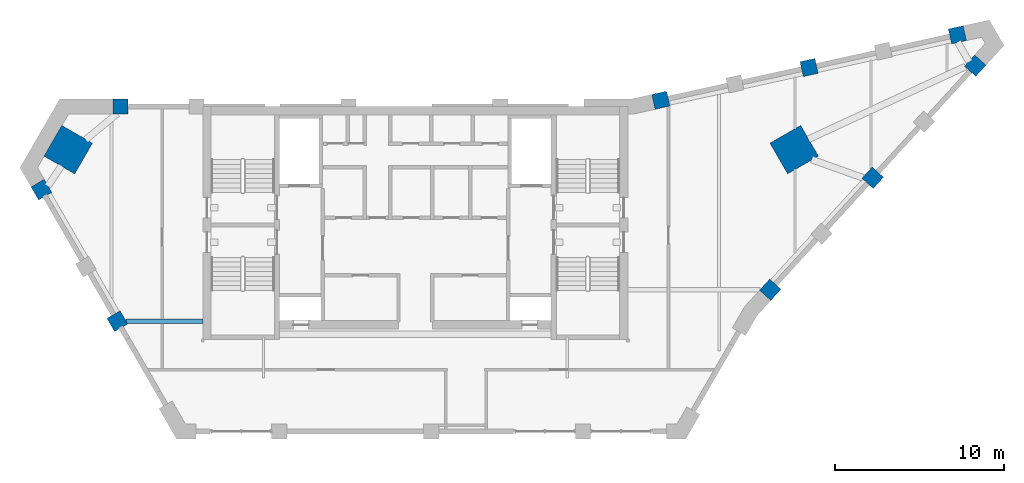
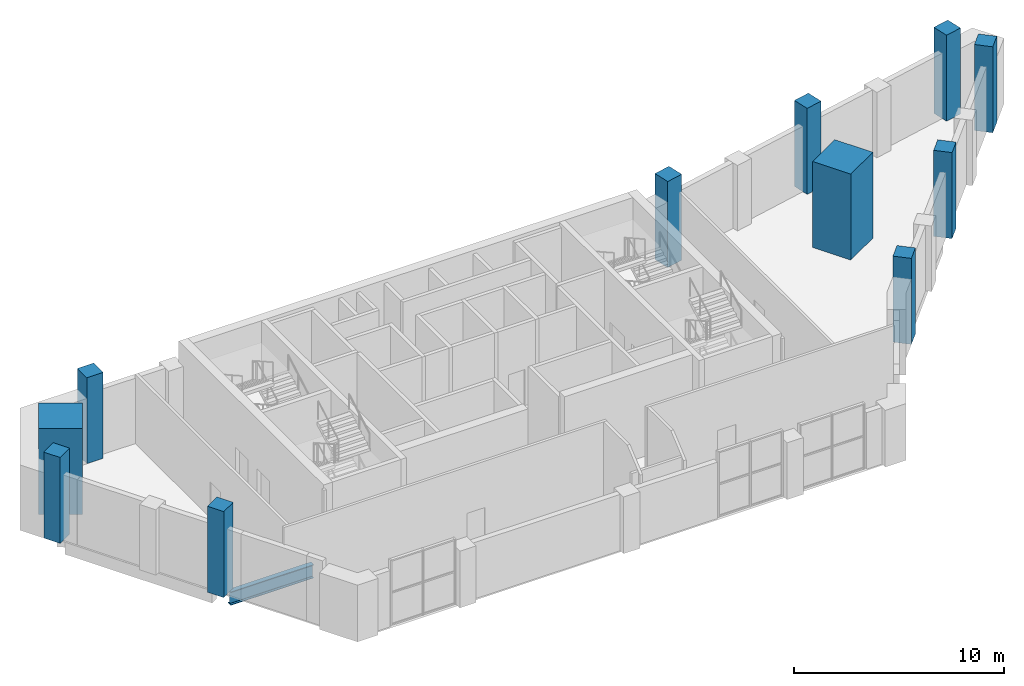
# One storey, part 1 of 9: 11 columns, 1 beam.
"""IFC4 building model written with IfcOpenShell, lengths in metres."""

from ifc_helpers import new_model, si_unit, direction, frame, origin, origin_2d, place, context, subcontext, project, spatial, rectangle, i_section, extrude, material, material_profile, profile_set, type_object, element, save


model = new_model("IFC4")

# Units and contexts
model_context = context("Model", 3, precision=1e-05, world=origin(), true_north=direction((0.0, 1.0)))
body_context = subcontext(model_context, "Body", "Model", "MODEL_VIEW")
ifc_project = project(units=[si_unit("LENGTHUNIT", "METRE"), si_unit("AREAUNIT", "SQUARE_METRE"), si_unit("VOLUMEUNIT", "CUBIC_METRE"), si_unit("PLANEANGLEUNIT", "RADIAN"), si_unit("MASSUNIT", "GRAM", prefix="KILO")], contexts=[model_context])

# Site, building, storey
site_placement = place(None, origin())
site = spatial("IfcSite", under=ifc_project, at=site_placement, CompositionType="ELEMENT")
building_placement = place(site_placement, origin())
building = spatial("IfcBuilding", under=site, at=building_placement, Name="Calabash Gate Tower", CompositionType="ELEMENT")
storey_placement = place(building_placement, frame((0.0, 0.0, 330.5)))
storey = spatial("IfcBuildingStorey", under=building, at=storey_placement, Name="L77", CompositionType="ELEMENT", Elevation=330.5)

# Columns
ifc_material_1 = material(Name="Concrete C60/75", Category="concrete")
ifc_material_profile_1 = material_profile(ifc_material_1, rectangle(XDim=2.10009765625, YDim=2.10009765625, at=origin_2d()))
ifc_profile_set_1 = profile_set([ifc_material_profile_1], Name="Concrete C60/75")
column_type_1 = type_object("IfcColumnType", Name="Mega column RC 2100x2100 Concrete C60/75", PredefinedType="COLUMN", material=ifc_profile_set_1)
for number, where, z_axis, x_axis, name in (
    (1, (-20.572998046875, 16.491943359375, 0.0), (0.0, 0.0, 1.0), (0.866025395058, -0.500000015115, 0.0), "Mega column L77 NW"),
    (2, (22.447021484375, 16.491943359375, 0.0), (0.0, 0.0, 1.0), (-0.866025395058, -0.500000015115, 0.0), "Mega column L77 NE"),
):
    element("IfcColumn", number, at=place(storey_placement, frame(where, z_axis=z_axis, x_axis=x_axis)), inside=storey, type_object=column_type_1, Name=name, PredefinedType="COLUMN", context=body_context, shape_type="SweptSolid", body=[
        extrude(rectangle(XDim=2.10009765625, YDim=2.10009765625, at=origin_2d()), origin(), (0.0, 0.0, 1.0), 5.0),
    ])
ifc_material_2 = material(Name="Concrete C50/60", Category="concrete")
ifc_material_profile_2 = material_profile(ifc_material_2, rectangle(XDim=0.89990234375, YDim=0.89990234375, at=origin_2d()))
ifc_profile_set_2 = profile_set([ifc_material_profile_2], Name="Concrete C50/60")
column_type_2 = type_object("IfcColumnType", Name="Perimeter column RC 900x900 Concrete C50/60", PredefinedType="COLUMN", material=ifc_profile_set_2)
for number, where, z_axis, x_axis, name in (
    (3, (-22.162109375, 14.1201171875, 0.0), (0.0, 0.0, 1.0), (0.500000015115, -0.866025395058, 0.0), "Perimeter column L77 P20"),
    (4, (-17.662109375, 6.325927734375, 0.0), (0.0, 0.0, 1.0), (0.500000015115, -0.866025395058, 0.0), "Perimeter column L77 P00"),
    (5, (21.031005859375, 8.18701171875, 0.0), (0.0, 0.0, 1.0), (0.67485604152, 0.737949404244, 0.0), "Perimeter column L77 P12"),
    (6, (27.10400390625, 14.825927734375, 0.0), (0.0, 0.0, 1.0), (0.67485604152, 0.737949404244, 0.0), "Perimeter column L77 P36"),
    (7, (33.177978515625, 21.468017578125, 0.0), (0.0, 0.0, 1.0), (0.67485604152, 0.737949404244, 0.0), "Perimeter column L77 P37"),
    (8, (32.12109375, 23.298095703125, 0.0), (0.0, 0.0, 1.0), (-0.976510951543, -0.215467773731, 0.0), "Perimeter column L77 P38"),
    (9, (23.3330078125, 21.35888671875, 0.0), (0.0, 0.0, 1.0), (-0.976510951543, -0.215467773731, 0.0), "Perimeter column L77 P39"),
    (10, (14.5439453125, 19.4189453125, 0.0), (0.0, 0.0, 1.0), (-0.976510951543, -0.215467773731, 0.0), "Perimeter column L77 P40"),
    (11, (-17.466064453125, 19.052978515625, 0.0), (0.0, 0.0, 1.0), (-1.0, 0.0, 0.0), "Perimeter column L77 P31"),
):
    element("IfcColumn", number, at=place(storey_placement, frame(where, z_axis=z_axis, x_axis=x_axis)), inside=storey, type_object=column_type_2, Name=name, PredefinedType="COLUMN", context=body_context, shape_type="SweptSolid", body=[
        extrude(rectangle(XDim=0.89990234375, YDim=0.89990234375, at=origin_2d()), origin(), (0.0, 0.0, 1.0), 5.0),
    ])

# Beam
ifc_material_3 = material(Name="Steel ASTM A992 Gr50", Category="steel")
ifc_material_profile_3 = material_profile(ifc_material_3, i_section(OverallWidth=0.2666015625, OverallDepth=0.77978515625, WebThickness=0.0166015625, FlangeThickness=0.030029296875, FilletRadius=0.0166015625, at=origin_2d()))
ifc_profile_set_3 = profile_set([ifc_material_profile_3], Name="Steel ASTM A992 Gr50")
beam_type = type_object("IfcBeamType", Name="Girder W30x148 ASTM A992 Gr50", PredefinedType="BEAM", material=ifc_profile_set_3)
beam_placement = place(storey_placement, frame((-17.1640625, 6.325927734375, -0.590087890625), z_axis=(1.0, 0.0, 0.0), x_axis=(0.0, 1.0, 0.0)))
element("IfcBeam", 12, at=beam_placement, inside=storey, type_object=beam_type, Name="Girder L77 2", PredefinedType="BEAM", context=body_context, shape_type="SweptSolid", body=[
    extrude(i_section(OverallWidth=0.2666015625, OverallDepth=0.77978515625, WebThickness=0.0166015625, FlangeThickness=0.030029296875, FilletRadius=0.0166015625, at=origin_2d()), origin(), (0.0, 0.0, 1.0), 4.56396484375),
])

save(model, "model.ifc")
